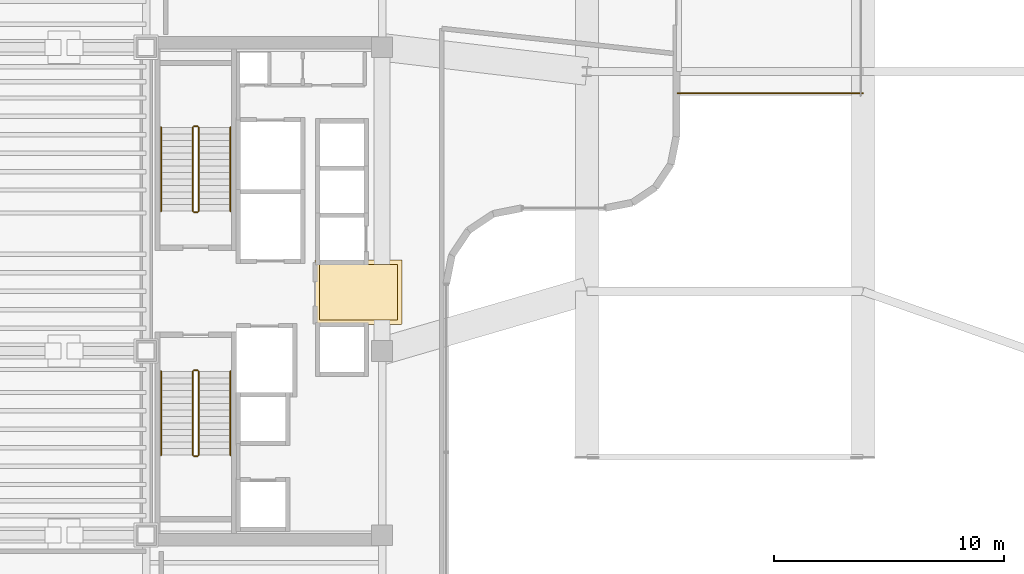
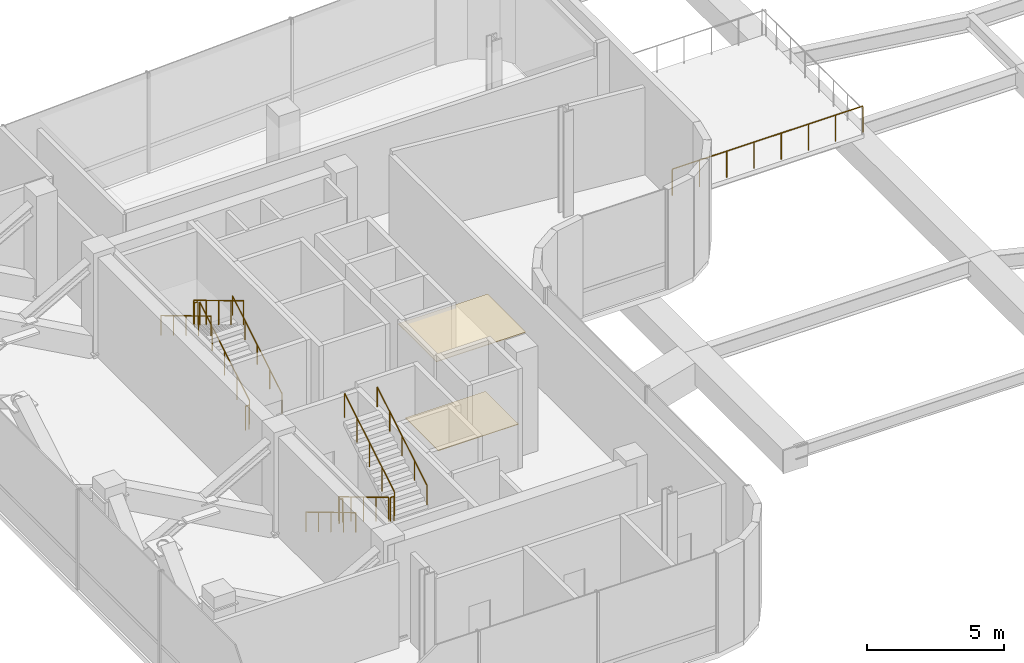
# One storey, part 19 of 20: 13 railings, 2 coverings.
"""IFC4 building model written with IfcOpenShell, lengths in metres."""

import ifcopenshell
import ifcopenshell.guid

model = None  # the IFC model being written
_history = None  # IfcOwnerHistory: only IFC2X3 demands one
_inside = {}  # id of a spatial element -> (the spatial element, [elements in it])
_under = {}  # id of a project, library or spatial element -> (it, [spatial elements below it])
_declared = {}  # id of a project -> (the project, [libraries it declares])
_typed = {}  # id of a type object -> (the type object, [elements of that type])
_made_of = {}  # id of a material, layer set ... -> (it, [elements and type objects made of it])


def new_model(schema):
    """Start an empty IFC model of exactly this schema.

    Asked for "IFC4X3", IfcOpenShell would pick the latest addendum, in which some entities
    have other attributes; the version numbers below select the first issue.
    IFC2X3 requires an IfcOwnerHistory on every rooted entity: one is made here for all.
    """
    global model, _history
    if schema == "IFC4X3":
        model = ifcopenshell.file(schema_version=(4, 3, 0, 0))
    else:
        model = ifcopenshell.file(schema=schema)
    _inside.clear()
    _under.clear()
    _declared.clear()
    _typed.clear()
    _made_of.clear()
    _history = None
    if model.schema == "IFC2X3":
        org = make("IfcOrganization", Name="unknown")
        user = make(
            "IfcPersonAndOrganization",
            ThePerson=make("IfcPerson", FamilyName="unknown"),
            TheOrganization=org,
        )
        app = make(
            "IfcApplication",
            ApplicationDeveloper=org,
            Version="unknown",
            ApplicationFullName="unknown",
            ApplicationIdentifier="unknown",
        )
        _history = make(
            "IfcOwnerHistory",
            OwningUser=user,
            OwningApplication=app,
            ChangeAction="ADDED",
            CreationDate=0,
        )
    return model


def make(cls, **values):
    """One entity of the class cls with the attributes given. An attribute that is None is left unset."""
    return model.create_entity(
        cls, **{name: value for name, value in values.items() if value is not None}
    )


def rooted(cls, **values):
    """An entity with a GlobalId (a new one), such as an element, a storey or a relation."""
    return make(cls, GlobalId=ifcopenshell.guid.new(), OwnerHistory=_history, **values)


def si_unit(unit_type, name, prefix=None):
    """IfcSIUnit, for example si_unit("LENGTHUNIT", "METRE", prefix="MILLI")."""
    return make("IfcSIUnit", UnitType=unit_type, Prefix=prefix, Name=name)


def assignment(units):
    """IfcUnitAssignment: the units of a project."""
    return None if units is None else make("IfcUnitAssignment", Units=units)


def point(xyz):
    """IfcCartesianPoint."""
    return None if xyz is None else make("IfcCartesianPoint", Coordinates=xyz)


def direction(xyz):
    """IfcDirection."""
    return None if xyz is None else make("IfcDirection", DirectionRatios=xyz)


def frame(location, z_axis=None, x_axis=None):
    """IfcAxis2Placement3D, a coordinate frame: its origin and axes. An axis left out is left unset."""
    return make(
        "IfcAxis2Placement3D",
        Location=point(location),
        Axis=direction(z_axis),
        RefDirection=direction(x_axis),
    )


def frame_2d(location, x_axis=None):
    """IfcAxis2Placement2D, a coordinate frame in the plane: its origin and x axis."""
    return make(
        "IfcAxis2Placement2D", Location=point(location), RefDirection=direction(x_axis)
    )


def origin():
    """The frame at (0, 0, 0) with its axes left unset."""
    return frame((0.0, 0.0, 0.0))


def origin_2d():
    """The frame at (0, 0) in the plane with its x axis left unset."""
    return frame_2d((0.0, 0.0))


def place(relative_to, where):
    """IfcLocalPlacement: puts the frame where relative to a parent placement (None: the world)."""
    return make(
        "IfcLocalPlacement", PlacementRelTo=relative_to, RelativePlacement=where
    )


def context(
    kind, dimensions, precision=None, world=None, true_north=None, identifier=None
):
    """IfcGeometricRepresentationContext, for example the 3D "Model" context."""
    return make(
        "IfcGeometricRepresentationContext",
        ContextIdentifier=identifier,
        ContextType=kind,
        CoordinateSpaceDimension=dimensions,
        Precision=precision,
        WorldCoordinateSystem=world,
        TrueNorth=true_north,
    )


def subcontext(parent, identifier, kind, view, scale=None):
    """IfcGeometricRepresentationSubContext, for example "Body" below "Model"."""
    return make(
        "IfcGeometricRepresentationSubContext",
        ContextIdentifier=identifier,
        ContextType=kind,
        ParentContext=parent,
        TargetScale=scale,
        TargetView=view,
    )


def project(units=None, contexts=None):
    """IfcProject with its units and contexts."""
    return rooted(
        "IfcProject",
        Name="project",
        RepresentationContexts=contexts,
        UnitsInContext=assignment(units),
    )


def spatial(cls, under=None, at=None, **own):
    """A site, building, storey or space (cls), placed at a placement, below another one or the project."""
    s = rooted(cls, ObjectPlacement=at, **own)
    if under is not None:
        _under.setdefault(under.id(), (under, []))[1].append(s)
    return s


def polyline(points):
    """IfcPolyline through the points."""
    return make("IfcPolyline", Points=[point(p) for p in points])


def profile(cls, at=None, kind="AREA", **sizes):
    """A parametric profile (cls). Its sizes go by their IFC names, for example OverallWidth=200.0."""
    return make(cls, ProfileType=kind, Position=at, **sizes)


def circle(**sizes):
    """IfcCircleProfileDef."""
    return profile("IfcCircleProfileDef", **sizes)


def outline(outer, holes=None, kind="AREA"):
    """IfcArbitraryClosedProfileDef: a profile drawn as a closed curve; with holes, ...WithVoids."""
    if holes is None:
        return make("IfcArbitraryClosedProfileDef", ProfileType=kind, OuterCurve=outer)
    return make(
        "IfcArbitraryProfileDefWithVoids",
        ProfileType=kind,
        OuterCurve=outer,
        InnerCurves=holes,
    )


def extrude(swept, where, along, depth):
    """IfcExtrudedAreaSolid: the profile swept, set in the frame where, extruded along a direction by depth."""
    return make(
        "IfcExtrudedAreaSolid",
        SweptArea=swept,
        Position=where,
        ExtrudedDirection=direction(along),
        Depth=depth,
    )


def shape(context_of_items, identifier, shape_type, items):
    """IfcShapeRepresentation: the items that make up one representation, for example the "Body"."""
    return make(
        "IfcShapeRepresentation",
        ContextOfItems=context_of_items,
        RepresentationIdentifier=identifier,
        RepresentationType=shape_type,
        Items=items,
    )


def material(Name=None, Category=None):
    """IfcMaterial."""
    return make("IfcMaterial", Name=Name, Category=Category)


def layer(
    of_material, thickness, ventilated=None, Name=None, Category=None, Priority=None
):
    """IfcMaterialLayer: one layer of a wall or slab, of a material (None: an air gap)."""
    return make(
        "IfcMaterialLayer",
        Material=of_material,
        LayerThickness=thickness,
        IsVentilated=ventilated,
        Name=Name,
        Category=Category,
        Priority=Priority,
    )


def layer_set(layers, Name=None):
    """IfcMaterialLayerSet."""
    return make("IfcMaterialLayerSet", MaterialLayers=layers, LayerSetName=Name)


def made_of(thing, what):
    """Note that an element or type object is made of a material, layer set ...; save() writes the relation."""
    if what is not None:
        _made_of.setdefault(what.id(), (what, []))[1].append(thing)
    return thing


def type_object(cls, material=None, **own):
    """A type object (cls), such as IfcWallType, which elements share."""
    return made_of(rooted(cls, **own), material)


def element(
    cls,
    number,
    at=None,
    inside=None,
    cuts=None,
    type_object=None,
    material=None,
    context=None,
    identifier="Body",
    shape_type=None,
    held_by="IfcProductDefinitionShape",
    body=None,
    shapes=None,
    **own,
):
    """One element of the class cls, such as IfcWall. Its Tag is "e" and its number.

    at: its placement. inside: the storey or other place that contains it. cuts: it is an
    opening in that element (IfcRelVoidsElement). A single representation is given by context,
    identifier, shape_type and body (its items); several are given by shapes. held_by: the class
    of the entity that holds the representations. save() writes the other relations.
    """
    e = rooted(cls, Tag="e%d" % number, ObjectPlacement=at, **own)
    if body is not None:
        shapes = [shape(context, identifier, shape_type, body)]
    if shapes is not None:
        e.Representation = make(held_by, Representations=shapes)
    if inside is not None:
        _inside.setdefault(inside.id(), (inside, []))[1].append(e)
    if cuts is not None:
        rooted(
            "IfcRelVoidsElement", RelatingBuildingElement=cuts, RelatedOpeningElement=e
        )
    if type_object is not None:
        _typed.setdefault(type_object.id(), (type_object, []))[1].append(e)
    return made_of(e, material)


def aggregate(whole, parts):
    """IfcRelAggregates: a whole, such as a stair, and the parts it consists of."""
    return rooted("IfcRelAggregates", RelatingObject=whole, RelatedObjects=parts)


def save(model, path):
    """Write the relations noted so far, then the file.

    IfcRelAggregates (storeys below a building ...), IfcRelContainedInSpatialStructure (elements
    in a storey), IfcRelDefinesByType, IfcRelAssociatesMaterial and IfcRelDeclares: one each for
    every whole, place, type object, material and project.
    """
    for whole, parts in _under.values():
        aggregate(whole, parts)
    for where, things in _inside.values():
        rooted(
            "IfcRelContainedInSpatialStructure",
            RelatedElements=things,
            RelatingStructure=where,
        )
    for kind, things in _typed.values():
        rooted("IfcRelDefinesByType", RelatedObjects=things, RelatingType=kind)
    for what, things in _made_of.values():
        rooted("IfcRelAssociatesMaterial", RelatedObjects=things, RelatingMaterial=what)
    for by, libraries in _declared.values():
        rooted("IfcRelDeclares", RelatingContext=by, RelatedDefinitions=libraries)
    model.write(path)


model = new_model("IFC4")

# Units and contexts
model_context = context("Model", 3, precision=1e-05, world=origin(), true_north=direction((0.0, 1.0)))
body_context = subcontext(model_context, "Body", "Model", "MODEL_VIEW")
ifc_project = project(units=[si_unit("LENGTHUNIT", "METRE"), si_unit("AREAUNIT", "SQUARE_METRE"), si_unit("VOLUMEUNIT", "CUBIC_METRE"), si_unit("PLANEANGLEUNIT", "RADIAN"), si_unit("MASSUNIT", "GRAM", prefix="KILO")], contexts=[model_context])

# Site, building, storey
site_placement = place(None, origin())
site = spatial("IfcSite", under=ifc_project, at=site_placement, CompositionType="ELEMENT")
building_placement = place(site_placement, origin())
building = spatial("IfcBuilding", under=site, at=building_placement, Name="Valdorenza Pilgrim Sanctuary Tower", CompositionType="ELEMENT")
storey_placement = place(building_placement, frame((0.0, 0.0, 196.300048828125)))
storey = spatial("IfcBuildingStorey", under=building, at=storey_placement, Name="L50", CompositionType="ELEMENT", Elevation=196.300048828125)

# Coverings
ifc_material_1 = material(Name="Micro-perforated acoustic mineral ceiling tile", Category="gypsum")
ifc_layer_1 = layer(ifc_material_1, 0.02490234375, Name="Micro-perforated acoustic mineral ceiling tile")
ifc_layer_set_1 = layer_set([ifc_layer_1], Name="Micro-perforated acoustic mineral ceiling tile")
covering_type_1 = type_object("IfcCoveringType", Name="COV-CLG-ACU", PredefinedType="CEILING", material=ifc_layer_set_1)
covering_1_placement = place(storey_placement, frame((0.0, 0.0, 4.159912109375)))
element("IfcCovering", 1, at=covering_1_placement, inside=storey, type_object=covering_type_1, Name="L50 Core A Passenger Lift Lobby Acoustic Ceiling", PredefinedType="CEILING", context=body_context, shape_type="SweptSolid", body=[
    extrude(outline(polyline([(-15.31298828125, 1.244384765625), (-15.31298828125, 1.24462890625), (-15.313720703125, 1.24609375), (-15.314208984375, 1.24755859375), (-15.314697265625, 1.2490234375), (-15.31494140625, 1.25048828125), (-15.31494140625, 1.251953125), (-15.31494140625, 1.35009765625), (-15.31494140625, 1.3515625), (-15.314697265625, 1.352783203125), (-15.314453125, 1.3544921875), (-15.31396484375, 1.355712890625), (-15.313232421875, 1.357177734375), (-15.3125, 1.3583984375), (-15.3115234375, 1.359619140625), (-15.310546875, 1.360595703125), (-15.3095703125, 1.361572265625), (-15.308349609375, 1.362548828125), (-15.30712890625, 1.36328125), (-15.3056640625, 1.364013671875), (-15.304443359375, 1.364501953125), (-15.302978515625, 1.36474609375), (-15.301513671875, 1.364990234375), (-15.300048828125, 1.364990234375), (-15.10205078125, 1.364990234375), (-15.1005859375, 1.364990234375), (-15.09912109375, 1.36474609375), (-15.097412109375, 1.3642578125), (-15.09619140625, 1.36376953125), (-15.0947265625, 1.363037109375), (-15.094482421875, 1.363037109375), (-13.185546875, 1.363037109375), (-13.185302734375, 1.363037109375), (-13.183837890625, 1.36376953125), (-13.1826171875, 1.3642578125), (-13.180908203125, 1.36474609375), (-13.179443359375, 1.364990234375), (-13.177978515625, 1.364990234375), (-11.550048828125, 1.364990234375), (-11.548583984375, 1.364990234375), (-11.547119140625, 1.36474609375), (-11.545654296875, 1.364501953125), (-11.544189453125, 1.364013671875), (-11.54296875, 1.36328125), (-11.541748046875, 1.362548828125), (-11.54052734375, 1.361572265625), (-11.539306640625, 1.360595703125), (-11.538330078125, 1.359619140625), (-11.53759765625, 1.3583984375), (-11.536865234375, 1.357177734375), (-11.5361328125, 1.355712890625), (-11.53564453125, 1.3544921875), (-11.535400390625, 1.352783203125), (-11.53515625, 1.3515625), (-11.534912109375, 1.35009765625), (-11.534912109375, -1.419921875), (-11.53515625, -1.42138671875), (-11.535400390625, -1.4228515625), (-11.53564453125, -1.42431640625), (-11.5361328125, -1.42578125), (-11.536865234375, -1.427001953125), (-11.53759765625, -1.42822265625), (-11.538330078125, -1.429443359375), (-11.539306640625, -1.4306640625), (-11.54052734375, -1.431640625), (-11.541748046875, -1.4326171875), (-11.54296875, -1.43310546875), (-11.544189453125, -1.433837890625), (-11.545654296875, -1.434326171875), (-11.547119140625, -1.434814453125), (-11.548583984375, -1.434814453125), (-11.550048828125, -1.43505859375), (-15.298095703125, -1.43505859375), (-15.299560546875, -1.434814453125), (-15.30078125, -1.434814453125), (-15.302490234375, -1.434326171875), (-15.3037109375, -1.433837890625), (-15.30517578125, -1.43310546875), (-15.306396484375, -1.4326171875), (-15.3076171875, -1.431640625), (-15.30859375, -1.4306640625), (-15.3095703125, -1.429443359375), (-15.310546875, -1.42822265625), (-15.311279296875, -1.427001953125), (-15.31201171875, -1.42578125), (-15.3125, -1.42431640625), (-15.312744140625, -1.4228515625), (-15.31298828125, -1.42138671875), (-15.31298828125, -1.419921875), (-15.31298828125, 1.244384765625)])), origin(), (0.0, 0.0, 1.0), 0.025146484375),
])
ifc_material_2 = material(Name="Honed travertine stone flooring", Category="masonry")
ifc_layer_2 = layer(ifc_material_2, 0.030029296875, Name="Honed travertine stone flooring")
ifc_layer_set_2 = layer_set([ifc_layer_2], Name="Honed travertine stone flooring")
covering_type_2 = type_object("IfcCoveringType", Name="COV-FLR-TRV", PredefinedType="FLOORING", material=ifc_layer_set_2)
covering_2_placement = place(storey_placement, origin())
element("IfcCovering", 2, at=covering_2_placement, inside=storey, type_object=covering_type_2, Name="L50 Core A Passenger Lift Lobby Flooring", PredefinedType="FLOORING", context=body_context, shape_type="SweptSolid", body=[
    extrude(outline(polyline([(-15.117919921875, 1.169189453125), (-15.10888671875, 1.168212890625), (-15.10888671875, 1.168212890625), (-15.10009765625, 1.16796875), (-13.179931640625, 1.16796875), (-13.1796875, 1.16796875), (-11.72998046875, 1.169921875), (-11.72998046875, -1.239990234375), (-15.117919921875, -1.239990234375), (-15.117919921875, 1.169189453125)])), origin(), (0.0, 0.0, 1.0), 0.02490234375),
])

# Railings
ifc_material_3 = material(Name="Laminated safety glass and stainless steel", Category="steel")
railing_type_1 = type_object("IfcRailingType", Name="RLG-BAL-1200", PredefinedType="BALUSTRADE", material=ifc_material_3)
railing_1_placement = place(storey_placement, frame((0.449951171875, 8.60009765625, 0.0)))
element("IfcRailing", 3, at=railing_1_placement, inside=storey, type_object=railing_type_1, Name="L50 East Wing Roof Terrace Balustrade 1", PredefinedType="BALUSTRADE", context=body_context, shape_type="SweptSolid", body=[
    extrude(circle(Radius=0.02392578125, at=origin_2d()), frame((0.0, 0.0, 1.17578125), z_axis=(1.0, 0.0, 0.0), x_axis=(0.0, 1.0, 0.0)), (0.0, 0.0, 1.0), 8.050048828125),
    extrude(circle(Radius=0.02099609375, at=origin_2d()), origin(), (0.0, 0.0, 1.0), 1.15185546875),
    extrude(circle(Radius=0.02099609375, at=origin_2d()), frame((1.14990234375, 0.0, 0.0)), (0.0, 0.0, 1.0), 1.15185546875),
    extrude(circle(Radius=0.02099609375, at=origin_2d()), frame((2.300048828125, 0.0, 0.0)), (0.0, 0.0, 1.0), 1.15185546875),
    extrude(circle(Radius=0.02099609375, at=origin_2d()), frame((3.449951171875, 0.0, 0.0)), (0.0, 0.0, 1.0), 1.15185546875),
    extrude(circle(Radius=0.02099609375, at=origin_2d()), frame((4.60009765625, 0.0, 0.0)), (0.0, 0.0, 1.0), 1.15185546875),
    extrude(circle(Radius=0.02099609375, at=origin_2d()), frame((5.75, 0.0, 0.0)), (0.0, 0.0, 1.0), 1.15185546875),
    extrude(circle(Radius=0.02099609375, at=origin_2d()), frame((6.900146484375, 0.0, 0.0)), (0.0, 0.0, 1.0), 1.15185546875),
    extrude(circle(Radius=0.02099609375, at=origin_2d()), frame((8.050048828125, 0.0, 0.0)), (0.0, 0.0, 1.0), 1.15185546875),
])
ifc_material_4 = material(Name="Stainless steel Grade 316", Category="steel")
railing_type_2 = type_object("IfcRailingType", Name="RLG-GRD-1120", PredefinedType="GUARDRAIL", material=ifc_material_4)
railing_2_placement = place(storey_placement, frame((-20.3701171875, 3.47998046875, 0.167724609375)))
element("IfcRailing", 4, at=railing_2_placement, inside=storey, type_object=railing_type_2, Name="L50 ST-A1 stair guard 1", PredefinedType="GUARDRAIL", context=body_context, shape_type="SweptSolid", body=[
    extrude(circle(Radius=0.02392578125, at=origin_2d()), frame((0.0, 0.0, 1.076171875), z_axis=(0.0, 0.857695887918, 0.51415733375), x_axis=(-1.0, 0.0, 0.0)), (0.0, 0.0, 1.0), 4.244140625),
    extrude(circle(Radius=0.02099609375, at=origin_2d()), origin(), (0.0, 0.0, 1.0), 1.052001953125),
    extrude(circle(Radius=0.02099609375, at=origin_2d()), frame((0.0, 0.91015625, 0.54541015625)), (0.0, 0.0, 1.0), 1.052001953125),
    extrude(circle(Radius=0.02099609375, at=origin_2d()), frame((0.0, 1.820068359375, 1.091064453125)), (0.0, 0.0, 1.0), 1.052001953125),
    extrude(circle(Radius=0.02099609375, at=origin_2d()), frame((0.0, 2.72998046875, 1.63671875)), (0.0, 0.0, 1.0), 1.052001953125),
    extrude(circle(Radius=0.02099609375, at=origin_2d()), frame((0.0, 3.64013671875, 2.18212890625)), (0.0, 0.0, 1.0), 1.052001953125),
])
railing_3_placement = place(storey_placement, frame((-20.419921875, 7.169921875, 2.349853515625)))
element("IfcRailing", 5, at=railing_3_placement, inside=storey, type_object=railing_type_2, Name="L50 ST-A1 stair guard 2", PredefinedType="GUARDRAIL", context=body_context, shape_type="SweptSolid", body=[
    extrude(circle(Radius=0.02392578125, at=origin_2d()), frame((0.0, 0.0, 1.076171875), z_axis=(-1.0, 0.0, 0.0), x_axis=(0.0, -1.0, 0.0)), (0.0, 0.0, 1.0), 0.150146484375),
    extrude(circle(Radius=0.02099609375, at=origin_2d()), origin(), (0.0, 0.0, 1.0), 1.052001953125),
    extrude(circle(Radius=0.02099609375, at=origin_2d()), frame((-0.150146484375, 0.0, 0.0)), (0.0, 0.0, 1.0), 1.052001953125),
])
railing_4_placement = place(storey_placement, frame((-20.6201171875, 7.1201171875, 2.517822265625)))
element("IfcRailing", 6, at=railing_4_placement, inside=storey, type_object=railing_type_2, Name="L50 ST-A1 stair guard 3", PredefinedType="GUARDRAIL", context=body_context, shape_type="SweptSolid", body=[
    extrude(circle(Radius=0.02392578125, at=origin_2d()), frame((0.0, 0.0, 1.076171875), z_axis=(0.0, -0.857695887918, 0.51415733375), x_axis=(1.0, 0.0, 0.0)), (0.0, 0.0, 1.0), 4.244140625),
    extrude(circle(Radius=0.02099609375, at=origin_2d()), origin(), (0.0, 0.0, 1.0), 1.052001953125),
    extrude(circle(Radius=0.02099609375, at=origin_2d()), frame((0.0, -0.91015625, 0.54541015625)), (0.0, 0.0, 1.0), 1.052001953125),
    extrude(circle(Radius=0.02099609375, at=origin_2d()), frame((0.0, -1.820068359375, 1.091064453125)), (0.0, 0.0, 1.0), 1.052001953125),
    extrude(circle(Radius=0.02099609375, at=origin_2d()), frame((0.0, -2.72998046875, 1.63671875)), (0.0, 0.0, 1.0), 1.052001953125),
    extrude(circle(Radius=0.02099609375, at=origin_2d()), frame((0.0, -3.64013671875, 2.18212890625)), (0.0, 0.0, 1.0), 1.052001953125),
])
railing_5_placement = place(storey_placement, frame((-20.419921875, 3.429931640625, 0.0)))
element("IfcRailing", 7, at=railing_5_placement, inside=storey, type_object=railing_type_2, Name="L50 ST-A1 stair guard 4", PredefinedType="GUARDRAIL", context=body_context, shape_type="SweptSolid", body=[
    extrude(circle(Radius=0.02392578125, at=origin_2d()), frame((0.0, 0.0, 1.076171875), z_axis=(-1.0, 0.0, 0.0), x_axis=(0.0, -1.0, 0.0)), (0.0, 0.0, 1.0), 0.150146484375),
    extrude(circle(Radius=0.02099609375, at=origin_2d()), origin(), (0.0, 0.0, 1.0), 1.052001953125),
    extrude(circle(Radius=0.02099609375, at=origin_2d()), frame((-0.150146484375, 0.0, 0.0)), (0.0, 0.0, 1.0), 1.052001953125),
])
railing_6_placement = place(storey_placement, frame((-20.6201171875, -3.47998046875, 0.167724609375)))
element("IfcRailing", 8, at=railing_6_placement, inside=storey, type_object=railing_type_2, Name="L50 ST-A2 stair guard 1", PredefinedType="GUARDRAIL", context=body_context, shape_type="SweptSolid", body=[
    extrude(circle(Radius=0.02392578125, at=origin_2d()), frame((0.0, 0.0, 1.076171875), z_axis=(0.0, -0.857695887918, 0.51415733375), x_axis=(1.0, 0.0, 0.0)), (0.0, 0.0, 1.0), 4.244140625),
    extrude(circle(Radius=0.02099609375, at=origin_2d()), origin(), (0.0, 0.0, 1.0), 1.052001953125),
    extrude(circle(Radius=0.02099609375, at=origin_2d()), frame((0.0, -0.91015625, 0.54541015625)), (0.0, 0.0, 1.0), 1.052001953125),
    extrude(circle(Radius=0.02099609375, at=origin_2d()), frame((0.0, -1.820068359375, 1.091064453125)), (0.0, 0.0, 1.0), 1.052001953125),
    extrude(circle(Radius=0.02099609375, at=origin_2d()), frame((0.0, -2.72998046875, 1.63671875)), (0.0, 0.0, 1.0), 1.052001953125),
    extrude(circle(Radius=0.02099609375, at=origin_2d()), frame((0.0, -3.64013671875, 2.18212890625)), (0.0, 0.0, 1.0), 1.052001953125),
])
railing_7_placement = place(storey_placement, frame((-20.570068359375, -7.169921875, 2.349853515625)))
element("IfcRailing", 9, at=railing_7_placement, inside=storey, type_object=railing_type_2, Name="L50 ST-A2 stair guard 2", PredefinedType="GUARDRAIL", context=body_context, shape_type="SweptSolid", body=[
    extrude(circle(Radius=0.02392578125, at=origin_2d()), frame((0.0, 0.0, 1.076171875), z_axis=(1.0, 0.0, 0.0), x_axis=(0.0, 1.0, 0.0)), (0.0, 0.0, 1.0), 0.150146484375),
    extrude(circle(Radius=0.02099609375, at=origin_2d()), origin(), (0.0, 0.0, 1.0), 1.052001953125),
    extrude(circle(Radius=0.02099609375, at=origin_2d()), frame((0.150146484375, 0.0, 0.0)), (0.0, 0.0, 1.0), 1.052001953125),
])
railing_8_placement = place(storey_placement, frame((-20.3701171875, -7.1201171875, 2.517822265625)))
element("IfcRailing", 10, at=railing_8_placement, inside=storey, type_object=railing_type_2, Name="L50 ST-A2 stair guard 3", PredefinedType="GUARDRAIL", context=body_context, shape_type="SweptSolid", body=[
    extrude(circle(Radius=0.02392578125, at=origin_2d()), frame((0.0, 0.0, 1.076171875), z_axis=(0.0, 0.857695887918, 0.51415733375), x_axis=(-1.0, 0.0, 0.0)), (0.0, 0.0, 1.0), 4.244140625),
    extrude(circle(Radius=0.02099609375, at=origin_2d()), origin(), (0.0, 0.0, 1.0), 1.052001953125),
    extrude(circle(Radius=0.02099609375, at=origin_2d()), frame((0.0, 0.91015625, 0.54541015625)), (0.0, 0.0, 1.0), 1.052001953125),
    extrude(circle(Radius=0.02099609375, at=origin_2d()), frame((0.0, 1.820068359375, 1.091064453125)), (0.0, 0.0, 1.0), 1.052001953125),
    extrude(circle(Radius=0.02099609375, at=origin_2d()), frame((0.0, 2.72998046875, 1.63671875)), (0.0, 0.0, 1.0), 1.052001953125),
    extrude(circle(Radius=0.02099609375, at=origin_2d()), frame((0.0, 3.64013671875, 2.18212890625)), (0.0, 0.0, 1.0), 1.052001953125),
])
railing_9_placement = place(storey_placement, frame((-20.570068359375, -3.429931640625, 0.0)))
element("IfcRailing", 11, at=railing_9_placement, inside=storey, type_object=railing_type_2, Name="L50 ST-A2 stair guard 4", PredefinedType="GUARDRAIL", context=body_context, shape_type="SweptSolid", body=[
    extrude(circle(Radius=0.02392578125, at=origin_2d()), frame((0.0, 0.0, 1.076171875), z_axis=(1.0, 0.0, 0.0), x_axis=(0.0, 1.0, 0.0)), (0.0, 0.0, 1.0), 0.150146484375),
    extrude(circle(Radius=0.02099609375, at=origin_2d()), origin(), (0.0, 0.0, 1.0), 1.052001953125),
    extrude(circle(Radius=0.02099609375, at=origin_2d()), frame((0.150146484375, 0.0, 0.0)), (0.0, 0.0, 1.0), 1.052001953125),
])
ifc_material_5 = material(Name="Brushed stainless steel Grade 316", Category="steel")
railing_type_3 = type_object("IfcRailingType", Name="RLG-HND-920", PredefinedType="HANDRAIL", material=ifc_material_5)
railing_10_placement = place(storey_placement, frame((-18.989990234375, 3.47998046875, 0.167724609375)))
element("IfcRailing", 12, at=railing_10_placement, inside=storey, type_object=railing_type_3, Name="L50 ST-A1 stair handrail 1", PredefinedType="HANDRAIL", context=body_context, shape_type="SweptSolid", body=[
    extrude(circle(Radius=0.02392578125, at=origin_2d()), frame((0.0, 0.0, 0.8759765625), z_axis=(0.0, 0.857695887918, 0.51415733375), x_axis=(-1.0, 0.0, 0.0)), (0.0, 0.0, 1.0), 4.244140625),
    extrude(circle(Radius=0.02099609375, at=origin_2d()), origin(), (0.0, 0.0, 1.0), 0.851806640625),
    extrude(circle(Radius=0.02099609375, at=origin_2d()), frame((0.0, 0.91015625, 0.54541015625)), (0.0, 0.0, 1.0), 0.851806640625),
    extrude(circle(Radius=0.02099609375, at=origin_2d()), frame((0.0, 1.820068359375, 1.091064453125)), (0.0, 0.0, 1.0), 0.851806640625),
    extrude(circle(Radius=0.02099609375, at=origin_2d()), frame((0.0, 2.72998046875, 1.63671875)), (0.0, 0.0, 1.0), 0.851806640625),
    extrude(circle(Radius=0.02099609375, at=origin_2d()), frame((0.0, 3.64013671875, 2.18212890625)), (0.0, 0.0, 1.0), 0.851806640625),
])
for number, where, name in (
    (13, (-22.0, 7.1201171875, 2.517822265625), "L50 ST-A1 stair handrail 2"),
    (14, (-22.0, -3.47998046875, 0.167724609375), "L50 ST-A2 stair handrail 1"),
):
    element("IfcRailing", number, at=place(storey_placement, frame(where)), inside=storey, type_object=railing_type_3, Name=name, PredefinedType="HANDRAIL", context=body_context, shape_type="SweptSolid", body=[
        extrude(circle(Radius=0.02392578125, at=origin_2d()), frame((0.0, 0.0, 0.8759765625), z_axis=(0.0, -0.857695887918, 0.51415733375), x_axis=(1.0, 0.0, 0.0)), (0.0, 0.0, 1.0), 4.244140625),
        extrude(circle(Radius=0.02099609375, at=origin_2d()), origin(), (0.0, 0.0, 1.0), 0.851806640625),
        extrude(circle(Radius=0.02099609375, at=origin_2d()), frame((0.0, -0.91015625, 0.54541015625)), (0.0, 0.0, 1.0), 0.851806640625),
        extrude(circle(Radius=0.02099609375, at=origin_2d()), frame((0.0, -1.820068359375, 1.091064453125)), (0.0, 0.0, 1.0), 0.851806640625),
        extrude(circle(Radius=0.02099609375, at=origin_2d()), frame((0.0, -2.72998046875, 1.63671875)), (0.0, 0.0, 1.0), 0.851806640625),
        extrude(circle(Radius=0.02099609375, at=origin_2d()), frame((0.0, -3.64013671875, 2.18212890625)), (0.0, 0.0, 1.0), 0.851806640625),
    ])
railing_11_placement = place(storey_placement, frame((-18.989990234375, -7.1201171875, 2.517822265625)))
element("IfcRailing", 15, at=railing_11_placement, inside=storey, type_object=railing_type_3, Name="L50 ST-A2 stair handrail 2", PredefinedType="HANDRAIL", context=body_context, shape_type="SweptSolid", body=[
    extrude(circle(Radius=0.02392578125, at=origin_2d()), frame((0.0, 0.0, 0.8759765625), z_axis=(0.0, 0.857695887918, 0.51415733375), x_axis=(-1.0, 0.0, 0.0)), (0.0, 0.0, 1.0), 4.244140625),
    extrude(circle(Radius=0.02099609375, at=origin_2d()), origin(), (0.0, 0.0, 1.0), 0.851806640625),
    extrude(circle(Radius=0.02099609375, at=origin_2d()), frame((0.0, 0.91015625, 0.54541015625)), (0.0, 0.0, 1.0), 0.851806640625),
    extrude(circle(Radius=0.02099609375, at=origin_2d()), frame((0.0, 1.820068359375, 1.091064453125)), (0.0, 0.0, 1.0), 0.851806640625),
    extrude(circle(Radius=0.02099609375, at=origin_2d()), frame((0.0, 2.72998046875, 1.63671875)), (0.0, 0.0, 1.0), 0.851806640625),
    extrude(circle(Radius=0.02099609375, at=origin_2d()), frame((0.0, 3.64013671875, 2.18212890625)), (0.0, 0.0, 1.0), 0.851806640625),
])

save(model, "model.ifc")
